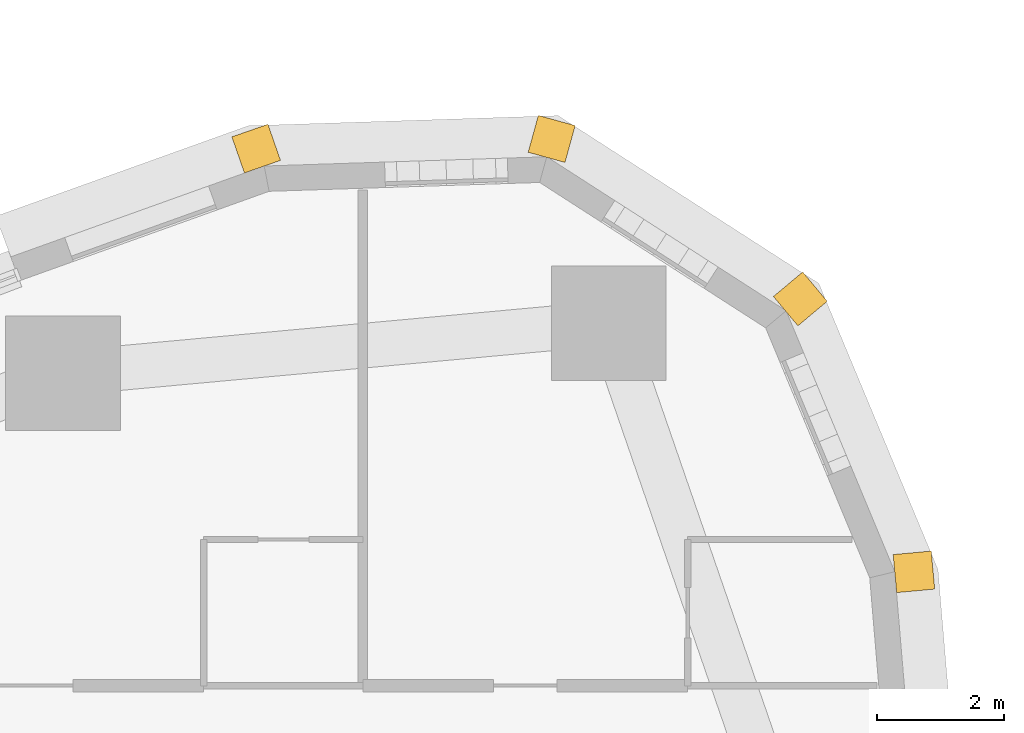
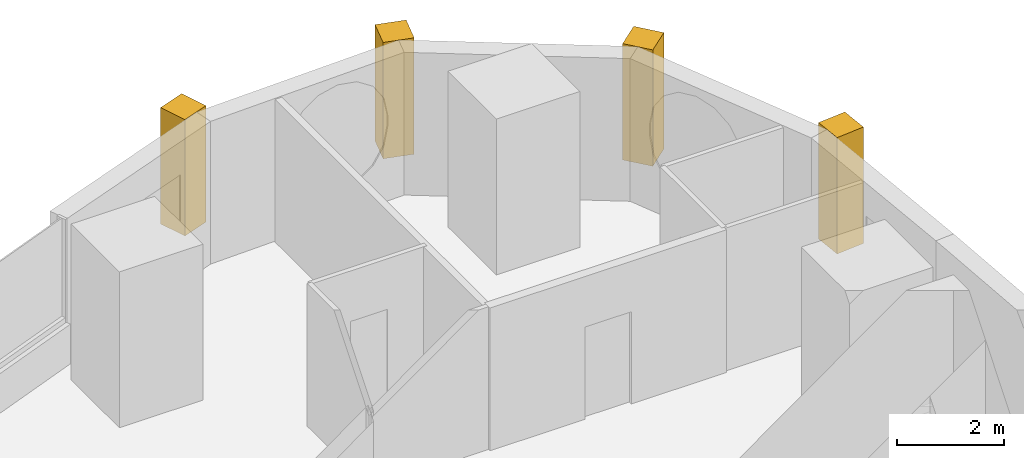
# One storey, part 19 of 19: 4 coverings.
"""IFC4 building model written with IfcOpenShell, lengths in metres."""

from ifc_helpers import new_model, si_unit, direction, frame, frame_2d, origin, place, context, subcontext, project, spatial, rectangle, extrude, material, layer, layer_set, type_object, element, save


model = new_model("IFC4")

# Units and contexts
model_context = context("Model", 3, precision=1e-05, world=origin(), true_north=direction((0.0, 1.0)))
body_context = subcontext(model_context, "Body", "Model", "MODEL_VIEW")
ifc_project = project(units=[si_unit("LENGTHUNIT", "METRE"), si_unit("AREAUNIT", "SQUARE_METRE"), si_unit("VOLUMEUNIT", "CUBIC_METRE"), si_unit("PLANEANGLEUNIT", "RADIAN"), si_unit("MASSUNIT", "GRAM", prefix="KILO")], contexts=[model_context])

# Site, building, storey
site_placement = place(None, origin())
site = spatial("IfcSite", under=ifc_project, at=site_placement, CompositionType="ELEMENT")
building_placement = place(site_placement, origin())
building = spatial("IfcBuilding", under=site, at=building_placement, Name="Ostrand Prow Hotel Tower", CompositionType="ELEMENT")
storey_placement = place(building_placement, frame((0.0, 0.0, 46.699951171875)))
storey = spatial("IfcBuildingStorey", under=building, at=storey_placement, Name="L09", CompositionType="ELEMENT", Elevation=46.699951171875)

# Coverings
ifc_material = material(Name="Limestone cladding", Category="masonry")
ifc_layer = layer(ifc_material, 0.60009765625)
ifc_layer_set = layer_set([ifc_layer], Name="Limestone cladding")
covering_type = type_object("IfcCoveringType", Name="Precast stone prow rib 600x600", PredefinedType="CLADDING", material=ifc_layer_set)
for number, where, z_axis, x_axis, name in (
    (1, (65.4580078125, 22.564453125, 0.60009765625), (0.0, 0.0, 1.0), (0.995724747837, 0.09237005221, 0.0), "Stone corner rib 16a"),
    (2, (63.74169921875, 26.6865234375, 0.60009765625), (0.0, 0.0, 1.0), (0.766985844654, 0.641664019639, 0.0), "Stone corner rib 17a"),
    (3, (59.98681640625, 29.1025390625, 0.60009765625), (0.0, 0.0, 1.0), (0.266111535611, 0.963942244439, 0.0), "Stone corner rib 18a"),
    (4, (55.524169921875, 28.956298828125, 0.60009765625), (0.0, 0.0, 1.0), (-0.328773122904, 0.94440893349, 0.0), "Stone corner rib 18b"),
):
    element("IfcCovering", number, at=place(storey_placement, frame(where, z_axis=z_axis, x_axis=x_axis)), inside=storey, type_object=covering_type, Name=name, PredefinedType="CLADDING", context=body_context, shape_type="SweptSolid", body=[
        extrude(rectangle(XDim=0.60009765625, YDim=0.60009765625, at=frame_2d((0.300048828125, 0.0))), origin(), (0.0, 0.0, 1.0), 2.64990234375),
    ])

save(model, "model.ifc")
